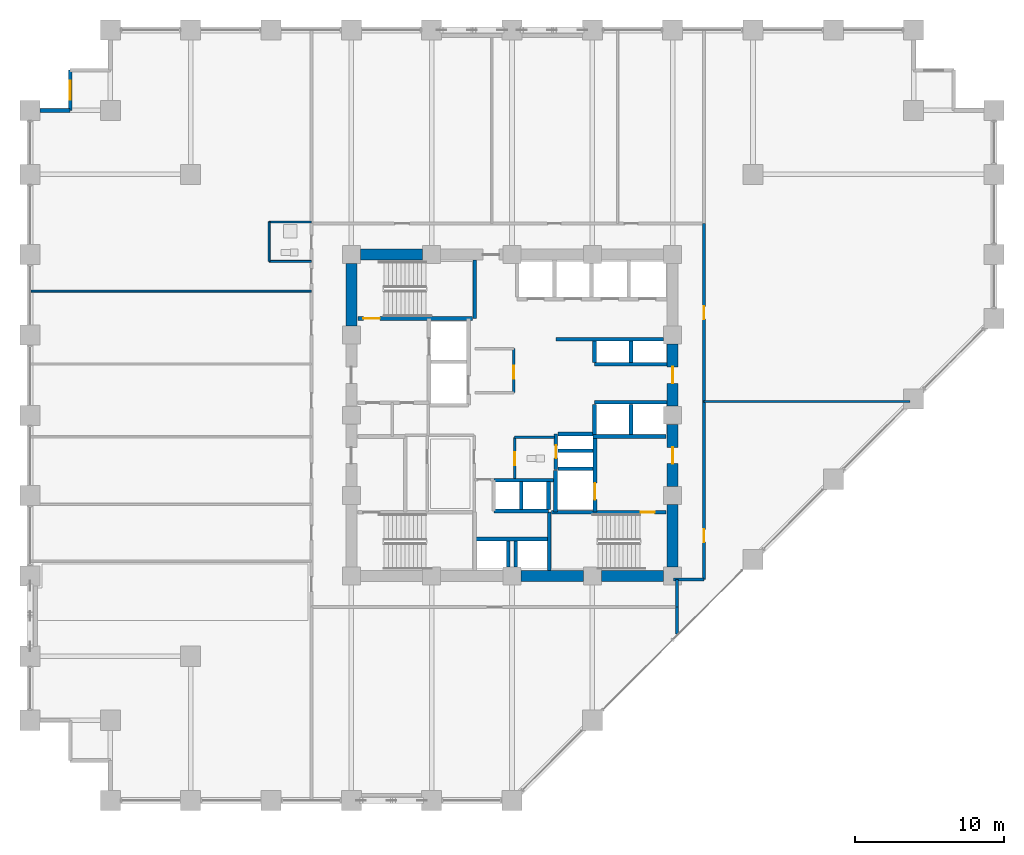
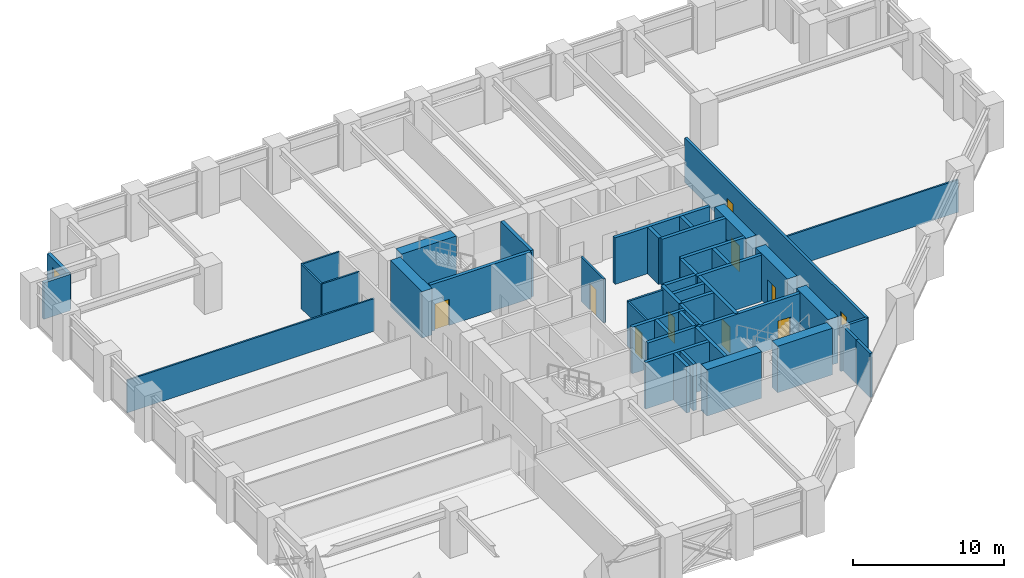
# One storey, part 21 of 25: 46 walls, 10 doors, 1 window, 11 openings.
"""IFC4 building model written with IfcOpenShell, lengths in metres."""

from ifc_helpers import new_model, si_unit, direction, frame, frame_2d, origin, place, context, subcontext, project, spatial, rectangle, extrude, material, layer, layer_set, type_object, element, fill, save


model = new_model("IFC4")

# Units and contexts
model_context = context("Model", 3, precision=1e-05, world=origin(), true_north=direction((0.0, 1.0)))
body_context = subcontext(model_context, "Body", "Model", "MODEL_VIEW")
ifc_project = project(units=[si_unit("LENGTHUNIT", "METRE"), si_unit("AREAUNIT", "SQUARE_METRE"), si_unit("VOLUMEUNIT", "CUBIC_METRE"), si_unit("PLANEANGLEUNIT", "RADIAN"), si_unit("MASSUNIT", "GRAM", prefix="KILO")], contexts=[model_context])

# Site, building, storey
site_placement = place(None, origin())
site = spatial("IfcSite", under=ifc_project, at=site_placement, CompositionType="ELEMENT")
building_placement = place(site_placement, origin())
building = spatial("IfcBuilding", under=site, at=building_placement, Name="Surkhivell Harbour Commons", CompositionType="ELEMENT")
storey_placement = place(building_placement, frame((0.0, 0.0, 37.5)))
storey = spatial("IfcBuildingStorey", under=building, at=storey_placement, Name="L09", CompositionType="ELEMENT", Elevation=37.5)

# Walls
ifc_material_1 = material(Name="Concrete C60/75", Category="concrete")
ifc_layer_1 = layer(ifc_material_1, 0.75)
ifc_layer_set_1 = layer_set([ifc_layer_1], Name="Concrete C60/75")
wall_type_1 = type_object("IfcWallType", Name="WAL-CORE-750", PredefinedType="SHEAR", material=ifc_layer_set_1)
for number, where, z_axis, x_axis, name in (
    (1, (-10.18994140625, 10.800048828125, 0.0), (0.0, 0.0, 1.0), (1.0, 0.0, 0.0), "L09 Core Shear Wall North 1"),
    (2, (10.800048828125, -10.18994140625, 0.0), (0.0, 0.0, 1.0), (0.0, 1.0, 0.0), "L09 Core Shear Wall East 1"),
):
    element("IfcWall", number, at=place(storey_placement, frame(where, z_axis=z_axis, x_axis=x_axis)), inside=storey, type_object=wall_type_1, Name=name, PredefinedType="SHEAR", context=body_context, shape_type="SweptSolid", body=[
        extrude(rectangle(XDim=4.179931640625, YDim=0.75, at=frame_2d((2.08984375, 0.0))), origin(), (0.0, 0.0, 1.0), 3.75),
    ])

# Wall, opening, door
wall_1_placement = place(storey_placement, frame((10.800048828125, -4.7900390625, 0.0), z_axis=(0.0, 0.0, 1.0), x_axis=(0.0, 1.0, 0.0)))
wall_1 = element("IfcWall", 3, at=wall_1_placement, inside=storey, type_object=wall_type_1, Name="L09 Core Shear Wall East 2", PredefinedType="SHEAR", context=body_context, shape_type="SweptSolid", body=[
    extrude(rectangle(XDim=4.179931640625, YDim=0.75, at=frame_2d((2.08984375, 0.0))), origin(), (0.0, 0.0, 1.0), 3.75),
])
opening_1_placement = place(wall_1_placement, frame((1.5400390625, 0.0, 0.0)))
opening_1 = element("IfcOpeningElement", 4, at=opening_1_placement, cuts=wall_1, Name="Opening ID-1", PredefinedType="OPENING", context=body_context, shape_type="SweptSolid", body=[
    extrude(rectangle(XDim=1.10009765625, YDim=2.10009765625, at=frame_2d((0.550048828125, 1.050048828125))), frame((0.0, 0.385009765625, 0.0), z_axis=(0.0, -1.0, 0.0), x_axis=(1.0, 0.0, 0.0)), (0.0, 0.0, 1.0), 0.77001953125),
])
ifc_material_2 = material(Name="Hardwood-veneered fire-rated door leaf", Category="wood")
door_type_1 = type_object("IfcDoorType", Name="DOR-FD120-1100", OperationType="NOTDEFINED", PredefinedType="DOOR", material=ifc_material_2)
door_1_placement = place(opening_1_placement, origin())
door_1 = element("IfcDoor", 5, at=door_1_placement, inside=storey, type_object=door_type_1, Name="L09 Firefighting Lobby 2 Corridor Door", OperationType="SINGLE_SWING_RIGHT", OverallHeight=2.10009765625, OverallWidth=1.10009765625, PredefinedType="DOOR", context=body_context, shape_type="SweptSolid", body=[
    extrude(rectangle(XDim=1.10009765625, YDim=2.10009765625, at=frame_2d((0.550048828125, 1.050048828125))), frame((0.0, 0.02490234375, 0.0), z_axis=(0.0, -1.0, 0.0), x_axis=(1.0, 0.0, 0.0)), (0.0, 0.0, 1.0), 0.050048828125),
])
fill(opening_1, door_1)

# Wall
wall_2_placement = place(storey_placement, frame((0.610107421875, -10.800048828125, 0.0), z_axis=(0.0, 0.0, 1.0), x_axis=(1.0, 0.0, 0.0)))
element("IfcWall", 6, at=wall_2_placement, inside=storey, type_object=wall_type_1, Name="L09 Core Shear Wall South 3", PredefinedType="SHEAR", context=body_context, shape_type="SweptSolid", body=[
    extrude(rectangle(XDim=4.179931640625, YDim=0.75, at=frame_2d((2.08984375, 0.0))), origin(), (0.0, 0.0, 1.0), 3.75),
])

# Wall, opening, door
wall_3_placement = place(storey_placement, frame((10.800048828125, 0.610107421875, 0.0), z_axis=(0.0, 0.0, 1.0), x_axis=(0.0, 1.0, 0.0)))
wall_3 = element("IfcWall", 7, at=wall_3_placement, inside=storey, type_object=wall_type_1, Name="L09 Core Shear Wall East 3", PredefinedType="SHEAR", context=body_context, shape_type="SweptSolid", body=[
    extrude(rectangle(XDim=4.179931640625, YDim=0.75, at=frame_2d((2.08984375, 0.0))), origin(), (0.0, 0.0, 1.0), 3.75),
])
opening_2_placement = place(wall_3_placement, frame((1.5400390625, 0.0, 0.0)))
opening_2 = element("IfcOpeningElement", 8, at=opening_2_placement, cuts=wall_3, Name="Opening ID-2", PredefinedType="OPENING", context=body_context, shape_type="SweptSolid", body=[
    extrude(rectangle(XDim=1.10009765625, YDim=2.10009765625, at=frame_2d((0.550048828125, 1.050048828125))), frame((0.0, 0.385009765625, 0.0), z_axis=(0.0, -1.0, 0.0), x_axis=(1.0, 0.0, 0.0)), (0.0, 0.0, 1.0), 0.77001953125),
])
door_type_2 = type_object("IfcDoorType", Name="DOR-FD60-1100", OperationType="NOTDEFINED", PredefinedType="DOOR", material=ifc_material_2)
door_2_placement = place(opening_2_placement, origin())
door_2 = element("IfcDoor", 9, at=door_2_placement, inside=storey, type_object=door_type_2, Name="L09 Mid-Rise Lobby East Door", OperationType="SINGLE_SWING_LEFT", OverallHeight=2.10009765625, OverallWidth=1.10009765625, PredefinedType="DOOR", context=body_context, shape_type="SweptSolid", body=[
    extrude(rectangle(XDim=1.10009765625, YDim=2.10009765625, at=frame_2d((0.550048828125, 1.050048828125))), frame((0.0, 0.02490234375, 0.0), z_axis=(0.0, -1.0, 0.0), x_axis=(1.0, 0.0, 0.0)), (0.0, 0.0, 1.0), 0.050048828125),
])
fill(opening_2, door_2)

# Walls
for number, where, z_axis, x_axis, name in (
    (10, (6.010009765625, -10.800048828125, 0.0), (0.0, 0.0, 1.0), (1.0, 0.0, 0.0), "L09 Core Shear Wall South 4"),
    (11, (-10.800048828125, 6.010009765625, 0.0), (0.0, 0.0, 1.0), (0.0, 1.0, 0.0), "L09 Core Shear Wall West 4"),
):
    element("IfcWall", number, at=place(storey_placement, frame(where, z_axis=z_axis, x_axis=x_axis)), inside=storey, type_object=wall_type_1, Name=name, PredefinedType="SHEAR", context=body_context, shape_type="SweptSolid", body=[
        extrude(rectangle(XDim=4.179931640625, YDim=0.75, at=frame_2d((2.08984375, 0.0))), origin(), (0.0, 0.0, 1.0), 3.75),
    ])

# Wall, opening, window
ifc_material_3 = material(Name="Pale-metal insulated precast concrete C45/55", Category="concrete")
ifc_layer_2 = layer(ifc_material_3, 0.260009765625)
ifc_layer_set_2 = layer_set([ifc_layer_2], Name="Pale-metal insulated precast concrete C45/55")
wall_type_2 = type_object("IfcWallType", Name="WAL-EXT-MTL260", PredefinedType="STANDARD", material=ifc_layer_set_2)
wall_4_placement = place(storey_placement, frame((-29.699951171875, 23.199951171875, 0.0), z_axis=(0.0, 0.0, 1.0), x_axis=(0.0, -1.0, 0.0)))
wall_4 = element("IfcWall", 12, at=wall_4_placement, inside=storey, type_object=wall_type_2, Name="L09 Serrated Corner Facade Wall 10", PredefinedType="STANDARD", context=body_context, shape_type="SweptSolid", body=[
    extrude(rectangle(XDim=2.699951171875, YDim=0.260009765625, at=frame_2d((1.35009765625, 0.0))), origin(), (0.0, 0.0, 1.0), 2.929931640625),
])
opening_3_placement = place(wall_4_placement, frame((0.72509765625, 0.0, 0.64990234375)))
opening_3 = element("IfcOpeningElement", 13, at=opening_3_placement, cuts=wall_4, Name="Opening WN-09", PredefinedType="OPENING", context=body_context, shape_type="SweptSolid", body=[
    extrude(rectangle(XDim=1.25, YDim=1.60009765625, at=frame_2d((0.625, 0.800048828125))), frame((0.0, 0.139892578125, 0.0), z_axis=(0.0, -1.0, 0.0), x_axis=(1.0, 0.0, 0.0)), (0.0, 0.0, 1.0), 0.280029296875),
])
ifc_material_4 = material(Name="Thermal-break aluminium frame and double low-E glazing", Category="aluminium")
window_type = type_object("IfcWindowType", Name="WIN-SER-1250x1600", PartitioningType="SINGLE_PANEL", PredefinedType="WINDOW", material=ifc_material_4)
window_placement = place(opening_3_placement, origin())
window = element("IfcWindow", 14, at=window_placement, inside=storey, type_object=window_type, Name="L09 Serrated Alcove Window 10", OverallHeight=1.60009765625, OverallWidth=1.25, PartitioningType="SINGLE_PANEL", PredefinedType="WINDOW", context=body_context, shape_type="SweptSolid", body=[
    extrude(rectangle(XDim=1.25, YDim=1.60009765625, at=frame_2d((0.625, 0.800048828125))), frame((0.0, 0.030029296875, 0.0), z_axis=(0.0, -1.0, 0.0), x_axis=(1.0, 0.0, 0.0)), (0.0, 0.0, 1.0), 0.06005859375),
])
fill(opening_3, window)

# Walls
wall_5_placement = place(storey_placement, frame((-29.699951171875, 20.5, 0.0), z_axis=(0.0, 0.0, 1.0), x_axis=(-1.0, 0.0, 0.0)))
element("IfcWall", 15, at=wall_5_placement, inside=storey, type_object=wall_type_2, Name="L09 Serrated Corner Facade Wall 11", PredefinedType="STANDARD", context=body_context, shape_type="SweptSolid", body=[
    extrude(rectangle(XDim=2.027099609375, YDim=0.260009765625, at=frame_2d((1.013671875, 0.0))), origin(), (0.0, 0.0, 1.0), 2.929931640625),
])
ifc_material_5 = material(Name="Moisture-resistant acoustic stud partition", Category="other")
ifc_layer_3 = layer(ifc_material_5, 0.125)
ifc_layer_set_3 = layer_set([ifc_layer_3], Name="Moisture-resistant acoustic stud partition")
wall_type_3 = type_object("IfcWallType", Name="WAL-INT-125", PredefinedType="PARTITIONING", material=ifc_layer_set_3)
wall_6_placement = place(storey_placement, frame((12.89990234375, 0.929931640625, 0.0), z_axis=(0.0, 0.0, 1.0), x_axis=(1.0, 0.0, 0.0)))
element("IfcWall", 16, at=wall_6_placement, inside=storey, type_object=wall_type_3, Name="L09 East Partition P1", PredefinedType="PARTITIONING", context=body_context, shape_type="SweptSolid", body=[
    extrude(rectangle(XDim=13.84521484375, YDim=0.125, at=frame_2d((6.922607421875, 0.0))), origin(), (0.0, 0.0, 1.0), 2.62890625),
])
wall_7_placement = place(storey_placement, frame((-16.330078125, 10.35009765625, 0.0), z_axis=(0.0, 0.0, 1.0), x_axis=(0.0, 1.0, 0.0)))
element("IfcWall", 17, at=wall_7_placement, inside=storey, type_object=wall_type_3, Name="L09 West Partition BTHB", PredefinedType="PARTITIONING", context=body_context, shape_type="SweptSolid", body=[
    extrude(rectangle(XDim=2.64990234375, YDim=0.125, at=frame_2d((1.324951171875, 0.0))), origin(), (0.0, 0.0, 1.0), 3.570068359375),
])
for number, where, z_axis, x_axis, name in (
    (18, (-16.330078125, 13.0, 0.0), (0.0, 0.0, 1.0), (1.0, 0.0, 0.0), "L09 West Partition BTHN"),
    (19, (-16.330078125, 10.35009765625, 0.0), (0.0, 0.0, 1.0), (1.0, 0.0, 0.0), "L09 West Partition BTHS"),
):
    element("IfcWall", number, at=place(storey_placement, frame(where, z_axis=z_axis, x_axis=x_axis)), inside=storey, type_object=wall_type_3, Name=name, PredefinedType="PARTITIONING", context=body_context, shape_type="SweptSolid", body=[
        extrude(rectangle(XDim=2.85009765625, YDim=0.125, at=frame_2d((1.425048828125, 0.0))), origin(), (0.0, 0.0, 1.0), 3.570068359375),
    ])
wall_8_placement = place(storey_placement, frame((-32.340087890625, 8.35009765625, 0.0), z_axis=(0.0, 0.0, 1.0), x_axis=(1.0, 0.0, 0.0)))
element("IfcWall", 20, at=wall_8_placement, inside=storey, type_object=wall_type_3, Name="L09 West Partition PTOP", PredefinedType="PARTITIONING", context=body_context, shape_type="SweptSolid", body=[
    extrude(rectangle(XDim=18.860107421875, YDim=0.125, at=frame_2d((9.43017578125, 0.0))), origin(), (0.0, 0.0, 1.0), 2.62890625),
])
ifc_material_6 = material(Name="Twin-stud acoustic fireboard partition", Category="other")
ifc_layer_4 = layer(ifc_material_6, 0.14990234375)
ifc_layer_set_4 = layer_set([ifc_layer_4], Name="Twin-stud acoustic fireboard partition")
wall_type_4 = type_object("IfcWallType", Name="WAL-INT-150", PredefinedType="PARTITIONING", material=ifc_layer_set_4)
wall_9_placement = place(storey_placement, frame((0.179931640625, -1.47998046875, 0.0), z_axis=(0.0, 0.0, 1.0), x_axis=(1.0, 0.0, 0.0)))
element("IfcWall", 21, at=wall_9_placement, inside=storey, type_object=wall_type_4, Name="L09 Core Accessible WC North Wall", PredefinedType="PARTITIONING", context=body_context, shape_type="SweptSolid", body=[
    extrude(rectangle(XDim=2.670166015625, YDim=0.14990234375, at=frame_2d((1.3349609375, 0.0))), origin(), (0.0, 0.0, 1.0), 3.570068359375),
])

# Wall, opening, door
wall_10_placement = place(storey_placement, frame((0.179931640625, -4.25, 0.0), z_axis=(0.0, 0.0, 1.0), x_axis=(0.0, 1.0, 0.0)))
wall_10 = element("IfcWall", 22, at=wall_10_placement, inside=storey, type_object=wall_type_4, Name="L09 Core Accessible WC West Wall", PredefinedType="PARTITIONING", context=body_context, shape_type="SweptSolid", body=[
    extrude(rectangle(XDim=2.77001953125, YDim=0.14990234375, at=frame_2d((1.385009765625, 0.0))), origin(), (0.0, 0.0, 1.0), 3.570068359375),
])
opening_4_placement = place(wall_10_placement, frame((0.89990234375, 0.0, 0.0)))
opening_4 = element("IfcOpeningElement", 23, at=opening_4_placement, cuts=wall_10, Name="Opening ID-6", PredefinedType="OPENING", context=body_context, shape_type="SweptSolid", body=[
    extrude(rectangle(XDim=0.85009765625, YDim=2.10009765625, at=frame_2d((0.425048828125, 1.050048828125))), frame((0.0, 0.0849609375, 0.0), z_axis=(0.0, -1.0, 0.0), x_axis=(1.0, 0.0, 0.0)), (0.0, 0.0, 1.0), 0.169921875),
])
door_type_3 = type_object("IfcDoorType", Name="DOR-FD30-850", OperationType="NOTDEFINED", PredefinedType="DOOR", material=ifc_material_2)
door_3_placement = place(opening_4_placement, origin())
door_3 = element("IfcDoor", 24, at=door_3_placement, inside=storey, type_object=door_type_3, Name="L09 Floor Accessible WC Door", OperationType="SINGLE_SWING_LEFT", OverallHeight=2.10009765625, OverallWidth=0.85009765625, PredefinedType="DOOR", context=body_context, shape_type="SweptSolid", body=[
    extrude(rectangle(XDim=0.85009765625, YDim=2.10009765625, at=frame_2d((0.425048828125, 1.050048828125))), frame((0.0, 0.02490234375, 0.0), z_axis=(0.0, -1.0, 0.0), x_axis=(1.0, 0.0, 0.0)), (0.0, 0.0, 1.0), 0.050048828125),
])
fill(opening_4, door_3)

wall_11_placement = place(storey_placement, frame((0.1201171875, 1.52001953125, 0.0), z_axis=(0.0, 0.0, 1.0), x_axis=(0.0, 1.0, 0.0)))
wall_11 = element("IfcWall", 25, at=wall_11_placement, inside=storey, type_object=wall_type_4, Name="L09 Central Reading East Wall", PredefinedType="PARTITIONING", context=body_context, shape_type="SweptSolid", body=[
    extrude(rectangle(XDim=2.9599609375, YDim=0.14990234375, at=frame_2d((1.47998046875, 0.0))), origin(), (0.0, 0.0, 1.0), 3.570068359375),
])
opening_5_placement = place(wall_11_placement, frame((0.949951171875, 0.0, 0.0)))
opening_5 = element("IfcOpeningElement", 26, at=opening_5_placement, cuts=wall_11, Name="Opening ID-6", PredefinedType="OPENING", context=body_context, shape_type="SweptSolid", body=[
    extrude(rectangle(XDim=0.85009765625, YDim=2.10009765625, at=frame_2d((0.425048828125, 1.050048828125))), frame((0.0, 0.0849609375, 0.0), z_axis=(0.0, -1.0, 0.0), x_axis=(1.0, 0.0, 0.0)), (0.0, 0.0, 1.0), 0.169921875),
])
door_4_placement = place(opening_5_placement, origin())
door_4 = element("IfcDoor", 27, at=door_4_placement, inside=storey, type_object=door_type_3, Name="L09 Central Core Reading Door", OperationType="SINGLE_SWING_RIGHT", OverallHeight=2.10009765625, OverallWidth=0.85009765625, PredefinedType="DOOR", context=body_context, shape_type="SweptSolid", body=[
    extrude(rectangle(XDim=0.85009765625, YDim=2.10009765625, at=frame_2d((0.425048828125, 1.050048828125))), frame((0.0, 0.02490234375, 0.0), z_axis=(0.0, -1.0, 0.0), x_axis=(1.0, 0.0, 0.0)), (0.0, 0.0, 1.0), 0.050048828125),
])
fill(opening_5, door_4)

# Wall
ifc_material_7 = material(Name="Autoclaved aerated concrete blockwork and fire plaster", Category="masonry")
ifc_layer_5 = layer(ifc_material_7, 0.199951171875)
ifc_layer_set_5 = layer_set([ifc_layer_5], Name="Autoclaved aerated concrete blockwork and fire plaster")
wall_type_5 = type_object("IfcWallType", Name="WAL-INT-200", PredefinedType="PARTITIONING", material=ifc_layer_set_5)
wall_12_placement = place(storey_placement, frame((11.10009765625, -14.715087890625, 0.0), z_axis=(0.0, 0.0, 1.0), x_axis=(0.0, 1.0, 0.0)))
element("IfcWall", 28, at=wall_12_placement, inside=storey, type_object=wall_type_5, Name="L09 South-East Wing Corner Divider", PredefinedType="PARTITIONING", context=body_context, shape_type="SweptSolid", body=[
    extrude(rectangle(XDim=1.815185546875, YDim=0.199951171875, at=frame_2d((0.90771484375, 0.0))), origin(), (0.0, 0.0, 1.0), 3.570068359375),
])

# Wall, openings, doors
wall_13_placement = place(storey_placement, frame((12.89990234375, -11.0400390625, 0.0), z_axis=(0.0, 0.0, 1.0), x_axis=(0.0, 1.0, 0.0)))
wall_13 = element("IfcWall", 29, at=wall_13_placement, inside=storey, type_object=wall_type_5, Name="L09 Corridor East Wall", PredefinedType="PARTITIONING", context=body_context, shape_type="SweptSolid", body=[
    extrude(rectangle(XDim=23.93994140625, YDim=0.199951171875, at=frame_2d((11.969970703125, 0.0))), origin(), (0.0, 0.0, 1.0), 3.570068359375),
])
opening_6_placement = place(wall_13_placement, frame((2.513916015625, 0.0, 0.0)))
opening_6 = element("IfcOpeningElement", 30, at=opening_6_placement, cuts=wall_13, Name="Opening ID-6", PredefinedType="OPENING", context=body_context, shape_type="SweptSolid", body=[
    extrude(rectangle(XDim=0.85009765625, YDim=2.10009765625, at=frame_2d((0.425048828125, 1.050048828125))), frame((0.0, 0.10986328125, 0.0), z_axis=(0.0, -1.0, 0.0), x_axis=(1.0, 0.0, 0.0)), (0.0, 0.0, 1.0), 0.219970703125),
])
opening_7_placement = place(wall_13_placement, frame((17.5048828125, 0.0, 0.0)))
opening_7 = element("IfcOpeningElement", 31, at=opening_7_placement, cuts=wall_13, Name="Opening ID-6", PredefinedType="OPENING", context=body_context, shape_type="SweptSolid", body=[
    extrude(rectangle(XDim=0.85009765625, YDim=2.10009765625, at=frame_2d((0.425048828125, 1.050048828125))), frame((0.0, 0.10986328125, 0.0), z_axis=(0.0, -1.0, 0.0), x_axis=(1.0, 0.0, 0.0)), (0.0, 0.0, 1.0), 0.219970703125),
])
door_5_placement = place(opening_6_placement, origin())
door_5 = element("IfcDoor", 32, at=door_5_placement, inside=storey, type_object=door_type_3, Name="L09 Campus Co-Op Bookshop East Door", OperationType="SINGLE_SWING_LEFT", OverallHeight=2.10009765625, OverallWidth=0.85009765625, PredefinedType="DOOR", context=body_context, shape_type="SweptSolid", body=[
    extrude(rectangle(XDim=0.85009765625, YDim=2.10009765625, at=frame_2d((0.425048828125, 1.050048828125))), frame((0.0, 0.02490234375, 0.0), z_axis=(0.0, -1.0, 0.0), x_axis=(1.0, 0.0, 0.0)), (0.0, 0.0, 1.0), 0.050048828125),
])
fill(opening_6, door_5)
door_6_placement = place(opening_7_placement, origin())
door_6 = element("IfcDoor", 33, at=door_6_placement, inside=storey, type_object=door_type_3, Name="L09 Harbour Espresso Cafe Shop East Door", OperationType="SINGLE_SWING_RIGHT", OverallHeight=2.10009765625, OverallWidth=0.85009765625, PredefinedType="DOOR", context=body_context, shape_type="SweptSolid", body=[
    extrude(rectangle(XDim=0.85009765625, YDim=2.10009765625, at=frame_2d((0.425048828125, 1.050048828125))), frame((0.0, 0.02490234375, 0.0), z_axis=(0.0, -1.0, 0.0), x_axis=(1.0, 0.0, 0.0)), (0.0, 0.0, 1.0), 0.050048828125),
])
fill(opening_7, door_6)

# Walls
wall_14_placement = place(storey_placement, frame((10.85009765625, -11.0400390625, 0.0), z_axis=(0.0, 0.0, 1.0), x_axis=(1.0, 0.0, 0.0)))
element("IfcWall", 34, at=wall_14_placement, inside=storey, type_object=wall_type_5, Name="L09 Corridor East South Closure Wall", PredefinedType="PARTITIONING", context=body_context, shape_type="SweptSolid", body=[
    extrude(rectangle(XDim=2.0498046875, YDim=0.199951171875, at=frame_2d((1.02490234375, 0.0))), origin(), (0.0, 0.0, 1.0), 3.570068359375),
])
wall_15_placement = place(storey_placement, frame((11.10009765625, -12.89990234375, 0.0), z_axis=(0.0, 0.0, 1.0), x_axis=(0.0, 1.0, 0.0)))
element("IfcWall", 35, at=wall_15_placement, inside=storey, type_object=wall_type_5, Name="L09 Corridor SE Closure Wall", PredefinedType="PARTITIONING", context=body_context, shape_type="SweptSolid", body=[
    extrude(rectangle(XDim=1.85986328125, YDim=0.199951171875, at=frame_2d((0.929931640625, 0.0))), origin(), (0.0, 0.0, 1.0), 3.570068359375),
])
ifc_material_8 = material(Name="Concrete C50/60", Category="concrete")
ifc_layer_6 = layer(ifc_material_8, 0.25)
ifc_layer_set_6 = layer_set([ifc_layer_6], Name="Concrete C50/60")
wall_type_6 = type_object("IfcWallType", Name="WAL-SHAFT-250", PredefinedType="SHEAR", material=ifc_layer_set_6)
wall_16_placement = place(storey_placement, frame((2.929931640625, -6.510009765625, 0.0), z_axis=(0.0, 0.0, 1.0), x_axis=(0.0, 1.0, 0.0)))
element("IfcWall", 36, at=wall_16_placement, inside=storey, type_object=wall_type_6, Name="L09 FFL2 West Shaft Wall", PredefinedType="SHEAR", context=body_context, shape_type="SweptSolid", body=[
    extrude(rectangle(XDim=2.7900390625, YDim=0.25, at=frame_2d((1.39501953125, 0.0))), origin(), (0.0, 0.0, 1.0), 3.75),
])
wall_17_placement = place(storey_placement, frame((5.43994140625, -1.419921875, 0.0), z_axis=(0.0, 0.0, 1.0), x_axis=(1.0, 0.0, 0.0)))
element("IfcWall", 37, at=wall_17_placement, inside=storey, type_object=wall_type_6, Name="L09 Firefighting Lobby 2 North Wall", PredefinedType="SHEAR", context=body_context, shape_type="SweptSolid", body=[
    extrude(rectangle(XDim=4.900146484375, YDim=0.25, at=frame_2d((2.4501953125, 0.0))), origin(), (0.0, 0.0, 1.0), 3.75),
])
wall_18_placement = place(storey_placement, frame((3.080078125, -3.60009765625, 0.0), z_axis=(0.0, 0.0, 1.0), x_axis=(1.0, 0.0, 0.0)))
element("IfcWall", 38, at=wall_18_placement, inside=storey, type_object=wall_type_6, Name="L09 FFL2 North Shaft Wall", PredefinedType="SHEAR", context=body_context, shape_type="SweptSolid", body=[
    extrude(rectangle(XDim=2.369873046875, YDim=0.25, at=frame_2d((1.18505859375, 0.0))), origin(), (0.0, 0.0, 1.0), 3.75),
])

# Wall, opening, door
wall_19_placement = place(storey_placement, frame((5.580078125, -6.510009765625, 0.0), z_axis=(0.0, 0.0, 1.0), x_axis=(0.0, 1.0, 0.0)))
wall_19 = element("IfcWall", 39, at=wall_19_placement, inside=storey, type_object=wall_type_6, Name="L09 Firefighting Lobby 2 West Shaft Wall", PredefinedType="SHEAR", context=body_context, shape_type="SweptSolid", body=[
    extrude(rectangle(XDim=5.090087890625, YDim=0.25, at=frame_2d((2.544921875, 0.0))), origin(), (0.0, 0.0, 1.0), 3.75),
])
opening_8_placement = place(wall_19_placement, frame((0.85009765625, 0.0, 0.0)))
opening_8 = element("IfcOpeningElement", 40, at=opening_8_placement, cuts=wall_19, Name="Opening LD-1", PredefinedType="OPENING", context=body_context, shape_type="SweptSolid", body=[
    extrude(rectangle(XDim=1.10009765625, YDim=2.10009765625, at=frame_2d((0.550048828125, 1.050048828125))), frame((0.0, 0.135009765625, 0.0), z_axis=(0.0, -1.0, 0.0), x_axis=(1.0, 0.0, 0.0)), (0.0, 0.0, 1.0), 0.27001953125),
])
ifc_material_9 = material(Name="Brushed stainless steel S355", Category="steel")
door_type_4 = type_object("IfcDoorType", Name="DOR-LD-1100", OperationType="SLIDING_TO_LEFT", PredefinedType="DOOR", material=ifc_material_9)
door_7_placement = place(opening_8_placement, origin())
door_7 = element("IfcDoor", 41, at=door_7_placement, inside=storey, type_object=door_type_4, Name="L09 Lift Landing Door LD-FFL2", OperationType="SLIDING_TO_RIGHT", OverallHeight=2.10009765625, OverallWidth=1.10009765625, PredefinedType="DOOR", context=body_context, shape_type="SweptSolid", body=[
    extrude(rectangle(XDim=1.10009765625, YDim=2.10009765625, at=frame_2d((0.550048828125, 1.050048828125))), frame((0.0, 0.02490234375, 0.0), z_axis=(0.0, -1.0, 0.0), x_axis=(1.0, 0.0, 0.0)), (0.0, 0.0, 1.0), 0.050048828125),
])
fill(opening_8, door_7)

# Walls
for number, where, z_axis, x_axis, name in (
    (42, (0.6201171875, -6.340087890625, 0.0), (0.0, 0.0, 1.0), (0.0, 1.0, 0.0), "L09 High-Rise Side Wall N"),
    (43, (2.449951171875, -6.340087890625, 0.0), (0.0, 0.0, 1.0), (0.0, 1.0, 0.0), "L09 High-Rise Side Wall N"),
):
    element("IfcWall", number, at=place(storey_placement, frame(where, z_axis=z_axis, x_axis=x_axis)), inside=storey, type_object=wall_type_6, Name=name, PredefinedType="SHEAR", context=body_context, shape_type="SweptSolid", body=[
        extrude(rectangle(XDim=1.880126953125, YDim=0.25, at=frame_2d((0.93994140625, 0.0))), origin(), (0.0, 0.0, 1.0), 3.75),
    ])
for number, where, z_axis, x_axis, name in (
    (44, (-0.25, -10.199951171875, 0.0), (0.0, 0.0, 1.0), (0.0, 1.0, 0.0), "L09 High-Rise Side Wall S"),
    (45, (0.25, -10.199951171875, 0.0), (0.0, 0.0, 1.0), (0.0, 1.0, 0.0), "L09 High-Rise Side Wall S"),
):
    element("IfcWall", number, at=place(storey_placement, frame(where, z_axis=z_axis, x_axis=x_axis)), inside=storey, type_object=wall_type_6, Name=name, PredefinedType="SHEAR", context=body_context, shape_type="SweptSolid", body=[
        extrude(rectangle(XDim=1.760009765625, YDim=0.25, at=frame_2d((0.8798828125, 0.0))), origin(), (0.0, 0.0, 1.0), 3.75),
    ])
wall_20_placement = place(storey_placement, frame((-1.219970703125, -6.43994140625, 0.0), z_axis=(0.0, 0.0, 1.0), x_axis=(1.0, 0.0, 0.0)))
element("IfcWall", 46, at=wall_20_placement, inside=storey, type_object=wall_type_6, Name="L09 High-Rise North Front Shaft Wall", PredefinedType="SHEAR", context=body_context, shape_type="SweptSolid", body=[
    extrude(rectangle(XDim=3.669921875, YDim=0.25, at=frame_2d((1.8349609375, 0.0))), origin(), (0.0, 0.0, 1.0), 3.75),
])
wall_21_placement = place(storey_placement, frame((-2.47998046875, -8.320068359375, 0.0), z_axis=(0.0, 0.0, 1.0), x_axis=(1.0, 0.0, 0.0)))
element("IfcWall", 47, at=wall_21_placement, inside=storey, type_object=wall_type_6, Name="L09 High-Rise South Front Shaft Wall", PredefinedType="SHEAR", context=body_context, shape_type="SweptSolid", body=[
    extrude(rectangle(XDim=4.929931640625, YDim=0.25, at=frame_2d((2.46484375, 0.0))), origin(), (0.0, 0.0, 1.0), 3.75),
])
wall_22_placement = place(storey_placement, frame((-1.219970703125, -4.360107421875, 0.0), z_axis=(0.0, 0.0, 1.0), x_axis=(1.0, 0.0, 0.0)))
element("IfcWall", 48, at=wall_22_placement, inside=storey, type_object=wall_type_6, Name="L09 High-Rise North Back Shaft Wall", PredefinedType="SHEAR", context=body_context, shape_type="SweptSolid", body=[
    extrude(rectangle(XDim=4.030029296875, YDim=0.25, at=frame_2d((2.01513671875, 0.0))), origin(), (0.0, 0.0, 1.0), 3.75),
])
wall_23_placement = place(storey_placement, frame((2.949951171875, 5.1201171875, 0.0), z_axis=(0.0, 0.0, 1.0), x_axis=(1.0, 0.0, 0.0)))
element("IfcWall", 49, at=wall_23_placement, inside=storey, type_object=wall_type_6, Name="L09 Low-Rise Lobby South Wall", PredefinedType="SHEAR", context=body_context, shape_type="SweptSolid", body=[
    extrude(rectangle(XDim=7.25, YDim=0.25, at=frame_2d((3.625, 0.0))), origin(), (0.0, 0.0, 1.0), 3.75),
])
for number, where, z_axis, x_axis, name in (
    (50, (5.550048828125, 3.550048828125, 0.0), (0.0, 0.0, 1.0), (0.0, 1.0, 0.0), "L09 Mid-Rise Shaft Side Wall N"),
    (51, (8.0, 3.550048828125, 0.0), (0.0, 0.0, 1.0), (0.0, 1.0, 0.0), "L09 Mid-Rise Shaft Side Wall N"),
):
    element("IfcWall", number, at=place(storey_placement, frame(where, z_axis=z_axis, x_axis=x_axis)), inside=storey, type_object=wall_type_6, Name=name, PredefinedType="SHEAR", context=body_context, shape_type="SweptSolid", body=[
        extrude(rectangle(XDim=1.449951171875, YDim=0.25, at=frame_2d((0.72509765625, 0.0))), origin(), (0.0, 0.0, 1.0), 3.75),
    ])
for number, where, z_axis, x_axis, name in (
    (52, (5.550048828125, -1.300048828125, 0.0), (0.0, 0.0, 1.0), (0.0, 1.0, 0.0), "L09 Mid-Rise Shaft Side Wall S"),
    (53, (8.0, -1.300048828125, 0.0), (0.0, 0.0, 1.0), (0.0, 1.0, 0.0), "L09 Mid-Rise Shaft Side Wall S"),
):
    element("IfcWall", number, at=place(storey_placement, frame(where, z_axis=z_axis, x_axis=x_axis)), inside=storey, type_object=wall_type_6, Name=name, PredefinedType="SHEAR", context=body_context, shape_type="SweptSolid", body=[
        extrude(rectangle(XDim=2.0400390625, YDim=0.25, at=frame_2d((1.02001953125, 0.0))), origin(), (0.0, 0.0, 1.0), 3.75),
    ])
for number, where, z_axis, x_axis, name in (
    (54, (5.550048828125, 3.429931640625, 0.0), (0.0, 0.0, 1.0), (1.0, 0.0, 0.0), "L09 Mid-Rise North Front Shaft Wall"),
    (55, (5.550048828125, 0.8701171875, 0.0), (0.0, 0.0, 1.0), (1.0, 0.0, 0.0), "L09 Mid-Rise South Front Shaft Wall"),
):
    element("IfcWall", number, at=place(storey_placement, frame(where, z_axis=z_axis, x_axis=x_axis)), inside=storey, type_object=wall_type_6, Name=name, PredefinedType="SHEAR", context=body_context, shape_type="SweptSolid", body=[
        extrude(rectangle(XDim=4.875, YDim=0.25, at=frame_2d((2.4375, 0.0))), origin(), (0.0, 0.0, 1.0), 3.75),
    ])
for number, where, z_axis, x_axis, name in (
    (56, (3.080078125, -2.3798828125, 0.0), (0.0, 0.0, 1.0), (1.0, 0.0, 0.0), "L09 Riser Divider Wall"),
    (57, (3.080078125, -1.25, 0.0), (0.0, 0.0, 1.0), (1.0, 0.0, 0.0), "L09 Riser North Wall"),
):
    element("IfcWall", number, at=place(storey_placement, frame(where, z_axis=z_axis, x_axis=x_axis)), inside=storey, type_object=wall_type_6, Name=name, PredefinedType="SHEAR", context=body_context, shape_type="SweptSolid", body=[
        extrude(rectangle(XDim=2.369873046875, YDim=0.25, at=frame_2d((1.18505859375, 0.0))), origin(), (0.0, 0.0, 1.0), 3.75),
    ])

# Wall, opening, door
wall_24_placement = place(storey_placement, frame((2.949951171875, -3.64990234375, 0.0), z_axis=(0.0, 0.0, 1.0), x_axis=(0.0, 1.0, 0.0)))
wall_24 = element("IfcWall", 58, at=wall_24_placement, inside=storey, type_object=wall_type_6, Name="L09 Riser Shaft West Wall", PredefinedType="SHEAR", context=body_context, shape_type="SweptSolid", body=[
    extrude(rectangle(XDim=2.39990234375, YDim=0.25, at=frame_2d((1.199951171875, 0.0))), origin(), (0.0, 0.0, 1.0), 3.75),
])
opening_9_placement = place(wall_24_placement, frame((0.77490234375, 0.0, 0.0)))
opening_9 = element("IfcOpeningElement", 59, at=opening_9_placement, cuts=wall_24, Name="Opening ID-6", PredefinedType="OPENING", context=body_context, shape_type="SweptSolid", body=[
    extrude(rectangle(XDim=0.85009765625, YDim=2.10009765625, at=frame_2d((0.425048828125, 1.050048828125))), frame((0.0, 0.135009765625, 0.0), z_axis=(0.0, -1.0, 0.0), x_axis=(1.0, 0.0, 0.0)), (0.0, 0.0, 1.0), 0.27001953125),
])
door_8_placement = place(opening_9_placement, origin())
door_8 = element("IfcDoor", 60, at=door_8_placement, inside=storey, type_object=door_type_3, Name="L09 Electrical Riser Access Door", OperationType="SINGLE_SWING_LEFT", OverallHeight=2.10009765625, OverallWidth=0.85009765625, PredefinedType="DOOR", context=body_context, shape_type="SweptSolid", body=[
    extrude(rectangle(XDim=0.85009765625, YDim=2.10009765625, at=frame_2d((0.425048828125, 1.050048828125))), frame((0.0, 0.02490234375, 0.0), z_axis=(0.0, -1.0, 0.0), x_axis=(1.0, 0.0, 0.0)), (0.0, 0.0, 1.0), 0.050048828125),
])
fill(opening_9, door_8)

# Wall
wall_25_placement = place(storey_placement, frame((-2.510009765625, 6.510009765625, 0.0), z_axis=(0.0, 0.0, 1.0), x_axis=(0.0, 1.0, 0.0)))
element("IfcWall", 61, at=wall_25_placement, inside=storey, type_object=wall_type_6, Name="L09 Stair ST1 East Shear Wall", PredefinedType="SHEAR", context=body_context, shape_type="SweptSolid", body=[
    extrude(rectangle(XDim=3.9150390625, YDim=0.25, at=frame_2d((1.95751953125, 0.0))), origin(), (0.0, 0.0, 1.0), 3.75),
])

# Wall, opening, door
wall_26_placement = place(storey_placement, frame((-10.340087890625, 6.510009765625, 0.0), z_axis=(0.0, 0.0, 1.0), x_axis=(1.0, 0.0, 0.0)))
wall_26 = element("IfcWall", 62, at=wall_26_placement, inside=storey, type_object=wall_type_6, Name="L09 Stair ST1 South Shear Wall", PredefinedType="SHEAR", context=body_context, shape_type="SweptSolid", body=[
    extrude(rectangle(XDim=7.7001953125, YDim=0.25, at=frame_2d((3.85009765625, 0.0))), origin(), (0.0, 0.0, 1.0), 3.75),
])
opening_10_placement = place(wall_26_placement, frame((0.35009765625, 0.0, 0.0)))
opening_10 = element("IfcOpeningElement", 63, at=opening_10_placement, cuts=wall_26, Name="Opening ID-2", PredefinedType="OPENING", context=body_context, shape_type="SweptSolid", body=[
    extrude(rectangle(XDim=1.10009765625, YDim=2.10009765625, at=frame_2d((0.550048828125, 1.050048828125))), frame((0.0, 0.135009765625, 0.0), z_axis=(0.0, -1.0, 0.0), x_axis=(1.0, 0.0, 0.0)), (0.0, 0.0, 1.0), 0.27001953125),
])
door_9_placement = place(opening_10_placement, origin())
door_9 = element("IfcDoor", 64, at=door_9_placement, inside=storey, type_object=door_type_2, Name="L09 Stair ST1 Exit Door", OperationType="SINGLE_SWING_LEFT", OverallHeight=2.10009765625, OverallWidth=1.10009765625, PredefinedType="DOOR", context=body_context, shape_type="SweptSolid", body=[
    extrude(rectangle(XDim=1.10009765625, YDim=2.10009765625, at=frame_2d((0.550048828125, 1.050048828125))), frame((0.0, 0.02490234375, 0.0), z_axis=(0.0, -1.0, 0.0), x_axis=(1.0, 0.0, 0.0)), (0.0, 0.0, 1.0), 0.050048828125),
])
fill(opening_10, door_9)

wall_27_placement = place(storey_placement, frame((2.639892578125, -6.510009765625, 0.0), z_axis=(0.0, 0.0, 1.0), x_axis=(1.0, 0.0, 0.0)))
wall_27 = element("IfcWall", 65, at=wall_27_placement, inside=storey, type_object=wall_type_6, Name="L09 Stair ST2 North Shear Wall", PredefinedType="SHEAR", context=body_context, shape_type="SweptSolid", body=[
    extrude(rectangle(XDim=7.7001953125, YDim=0.25, at=frame_2d((3.85009765625, 0.0))), origin(), (0.0, 0.0, 1.0), 3.75),
])
opening_11_placement = place(wall_27_placement, frame((6.0, 0.0, 0.0)))
opening_11 = element("IfcOpeningElement", 66, at=opening_11_placement, cuts=wall_27, Name="Opening ID-4", PredefinedType="OPENING", context=body_context, shape_type="SweptSolid", body=[
    extrude(rectangle(XDim=0.949951171875, YDim=2.10009765625, at=frame_2d((0.47509765625, 1.050048828125))), frame((0.0, 0.135009765625, 0.0), z_axis=(0.0, -1.0, 0.0), x_axis=(1.0, 0.0, 0.0)), (0.0, 0.0, 1.0), 0.27001953125),
])
door_type_5 = type_object("IfcDoorType", Name="DOR-FD60-950", OperationType="NOTDEFINED", PredefinedType="DOOR", material=ifc_material_2)
door_10_placement = place(opening_11_placement, origin())
door_10 = element("IfcDoor", 67, at=door_10_placement, inside=storey, type_object=door_type_5, Name="L09 Stair ST2 Exit Door", OperationType="SINGLE_SWING_RIGHT", OverallHeight=2.10009765625, OverallWidth=0.949951171875, PredefinedType="DOOR", context=body_context, shape_type="SweptSolid", body=[
    extrude(rectangle(XDim=0.949951171875, YDim=2.10009765625, at=frame_2d((0.47509765625, 1.050048828125))), frame((0.0, 0.02490234375, 0.0), z_axis=(0.0, -1.0, 0.0), x_axis=(1.0, 0.0, 0.0)), (0.0, 0.0, 1.0), 0.050048828125),
])
fill(opening_11, door_10)

# Wall
wall_28_placement = place(storey_placement, frame((2.510009765625, -10.425048828125, 0.0), z_axis=(0.0, 0.0, 1.0), x_axis=(0.0, 1.0, 0.0)))
element("IfcWall", 68, at=wall_28_placement, inside=storey, type_object=wall_type_6, Name="L09 Stair ST2 West Shear Wall", PredefinedType="SHEAR", context=body_context, shape_type="SweptSolid", body=[
    extrude(rectangle(XDim=3.9150390625, YDim=0.25, at=frame_2d((1.95751953125, 0.0))), origin(), (0.0, 0.0, 1.0), 3.75),
])

save(model, "model.ifc")
